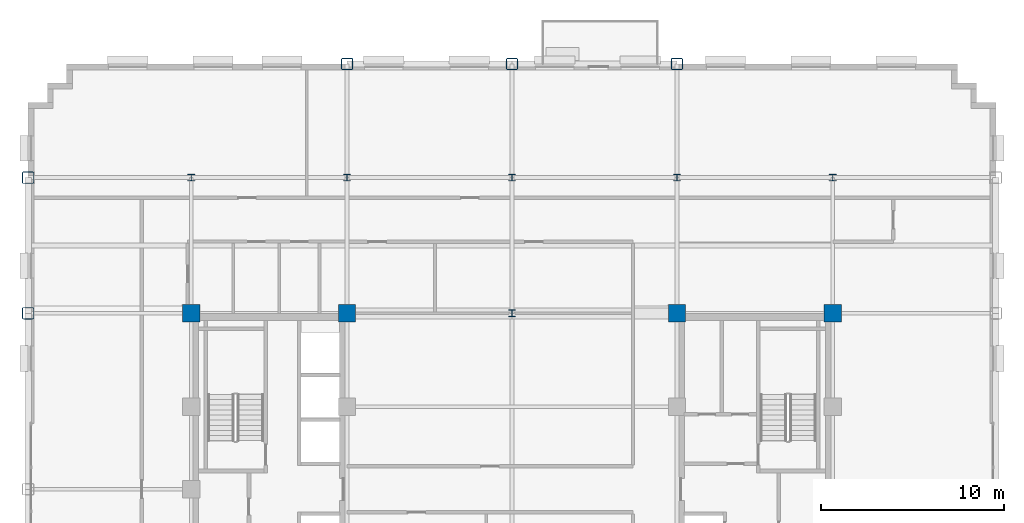
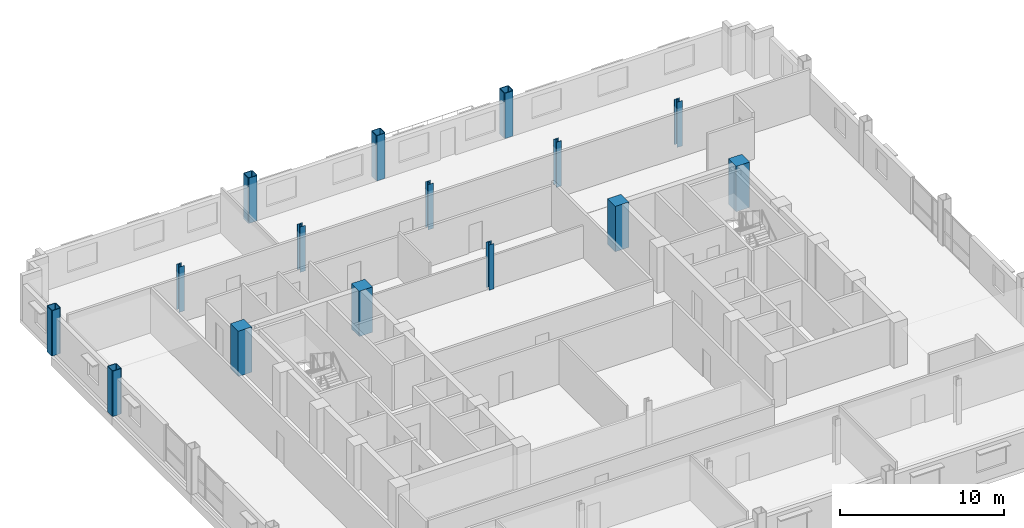
# One storey, part 3 of 15: 15 columns.
"""IFC4 building model written with IfcOpenShell, lengths in metres."""

from ifc_helpers import new_model, si_unit, direction, frame, origin, origin_2d, place, context, subcontext, project, spatial, rectangle, hollow_rectangle, i_section, extrude, material, material_profile, profile_set, type_object, element, save


model = new_model("IFC4")

# Units and contexts
model_context = context("Model", 3, precision=1e-05, world=origin(), true_north=direction((0.0, 1.0)))
body_context = subcontext(model_context, "Body", "Model", "MODEL_VIEW")
ifc_project = project(units=[si_unit("LENGTHUNIT", "METRE"), si_unit("AREAUNIT", "SQUARE_METRE"), si_unit("VOLUMEUNIT", "CUBIC_METRE"), si_unit("PLANEANGLEUNIT", "RADIAN"), si_unit("MASSUNIT", "GRAM", prefix="KILO")], contexts=[model_context])

# Site, building, storey
site_placement = place(None, origin())
site = spatial("IfcSite", under=ifc_project, at=site_placement, CompositionType="ELEMENT")
building_placement = place(site_placement, origin())
building = spatial("IfcBuilding", under=site, at=building_placement, Name="Nuvemarco Arch Tower", CompositionType="ELEMENT")
storey_placement = place(building_placement, frame((0.0, 0.0, 123.85009765625)))
storey = spatial("IfcBuildingStorey", under=building, at=storey_placement, Name="L32", CompositionType="ELEMENT", Elevation=123.85009765625)

# Columns
ifc_material_1 = material(Name="Concrete C50/60", Category="concrete")
ifc_material_profile_1 = material_profile(ifc_material_1, rectangle(XDim=0.949951171875, YDim=0.949951171875, at=origin_2d()), Name="RC-COL-950x950")
ifc_profile_set_1 = profile_set([ifc_material_profile_1], Name="Concrete C50/60")
column_type_1 = type_object("IfcColumnType", Name="COL-CORE-950", PredefinedType="COLUMN", material=ifc_profile_set_1)
for number, where, z_axis, x_axis, name in (
    (1, (-17.5, 9.60009765625, 0.0), (0.0, 0.0, 1.0), (1.0, 0.0, 0.0), "L32 column CC_-17.5_+9.6"),
    (2, (-9.0, 9.60009765625, 0.0), (0.0, 0.0, 1.0), (1.0, 0.0, 0.0), "L32 column CC_-9.0_+9.6"),
    (3, (9.0, 9.60009765625, 0.0), (0.0, 0.0, 1.0), (1.0, 0.0, 0.0), "L32 column CC_+9.0_+9.6"),
    (4, (17.5, 9.60009765625, 0.0), (0.0, 0.0, 1.0), (1.0, 0.0, 0.0), "L32 column CC_+17.5_+9.6"),
):
    element("IfcColumn", number, at=place(storey_placement, frame(where, z_axis=z_axis, x_axis=x_axis)), inside=storey, type_object=column_type_1, Name=name, PredefinedType="COLUMN", context=body_context, shape_type="SweptSolid", body=[
        extrude(rectangle(XDim=0.949951171875, YDim=0.949951171875, at=origin_2d()), origin(), (0.0, 0.0, 1.0), 3.369873046875),
    ])
ifc_material_2 = material(Name="Steel S355", Category="steel")
ifc_material_profile_2 = material_profile(ifc_material_2, hollow_rectangle(XDim=0.64990234375, YDim=0.64990234375, WallThickness=0.0400390625, InnerFilletRadius=0.0400390625, OuterFilletRadius=0.080078125, at=origin_2d()), Name="SHS650x650x40")
ifc_profile_set_2 = profile_set([ifc_material_profile_2], Name="Steel S355")
column_type_2 = type_object("IfcColumnType", Name="COL-EXO-650", PredefinedType="COLUMN", material=ifc_profile_set_2)
for number, where, z_axis, x_axis, name in (
    (5, (-26.39990234375, 9.60009765625, 0.0), (0.0, 0.0, 1.0), (1.0, 0.0, 0.0), "L32 column CX_-26.4_+9.6"),
    (6, (-26.39990234375, 17.0, 0.0), (0.0, 0.0, 1.0), (1.0, 0.0, 0.0), "L32 column CX_-26.4_+17.0"),
    (7, (-9.0, 23.199951171875, 0.0), (0.0, 0.0, 1.0), (1.0, 0.0, 0.0), "L32 column CY_-9.0_+23.2"),
    (8, (0.0, 23.199951171875, 0.0), (0.0, 0.0, 1.0), (1.0, 0.0, 0.0), "L32 column CY_+0.0_+23.2"),
    (9, (9.0, 23.199951171875, 0.0), (0.0, 0.0, 1.0), (1.0, 0.0, 0.0), "L32 column CY_+9.0_+23.2"),
):
    element("IfcColumn", number, at=place(storey_placement, frame(where, z_axis=z_axis, x_axis=x_axis)), inside=storey, type_object=column_type_2, Name=name, PredefinedType="COLUMN", context=body_context, shape_type="SweptSolid", body=[
        extrude(hollow_rectangle(XDim=0.64990234375, YDim=0.64990234375, WallThickness=0.0400390625, InnerFilletRadius=0.0400390625, OuterFilletRadius=0.080078125, at=origin_2d()), origin(), (0.0, 0.0, 1.0), 3.369873046875),
    ])
ifc_material_profile_3 = material_profile(ifc_material_2, i_section(OverallWidth=0.360107421875, OverallDepth=0.360107421875, WebThickness=0.0205078125, FlangeThickness=0.0205078125, FilletRadius=0.01806640625, at=origin_2d()), Name="HP360x174")
ifc_profile_set_3 = profile_set([ifc_material_profile_3], Name="Steel S355")
column_type_3 = type_object("IfcColumnType", Name="COL-STL-HP360", PredefinedType="COLUMN", material=ifc_profile_set_3)
for number, where, z_axis, x_axis, name in (
    (10, (0.0, 9.60009765625, 0.0), (0.0, 0.0, 1.0), (1.0, 0.0, 0.0), "L32 column CI_+0.0_+9.6"),
    (11, (0.0, 17.0, 0.0), (0.0, 0.0, 1.0), (1.0, 0.0, 0.0), "L32 column CI_+0.0_+17.0"),
    (12, (-17.5, 17.0, 0.0), (0.0, 0.0, 1.0), (1.0, 0.0, 0.0), "L32 column CI_-17.5_+17.0"),
    (13, (-9.0, 17.0, 0.0), (0.0, 0.0, 1.0), (1.0, 0.0, 0.0), "L32 column CI_-9.0_+17.0"),
    (14, (9.0, 17.0, 0.0), (0.0, 0.0, 1.0), (1.0, 0.0, 0.0), "L32 column CI_+9.0_+17.0"),
    (15, (17.5, 17.0, 0.0), (0.0, 0.0, 1.0), (1.0, 0.0, 0.0), "L32 column CI_+17.5_+17.0"),
):
    element("IfcColumn", number, at=place(storey_placement, frame(where, z_axis=z_axis, x_axis=x_axis)), inside=storey, type_object=column_type_3, Name=name, PredefinedType="COLUMN", context=body_context, shape_type="SweptSolid", body=[
        extrude(i_section(OverallWidth=0.360107421875, OverallDepth=0.360107421875, WebThickness=0.0205078125, FlangeThickness=0.0205078125, FilletRadius=0.01806640625, at=origin_2d()), origin(), (0.0, 0.0, 1.0), 3.369873046875),
    ])

save(model, "model.ifc")
